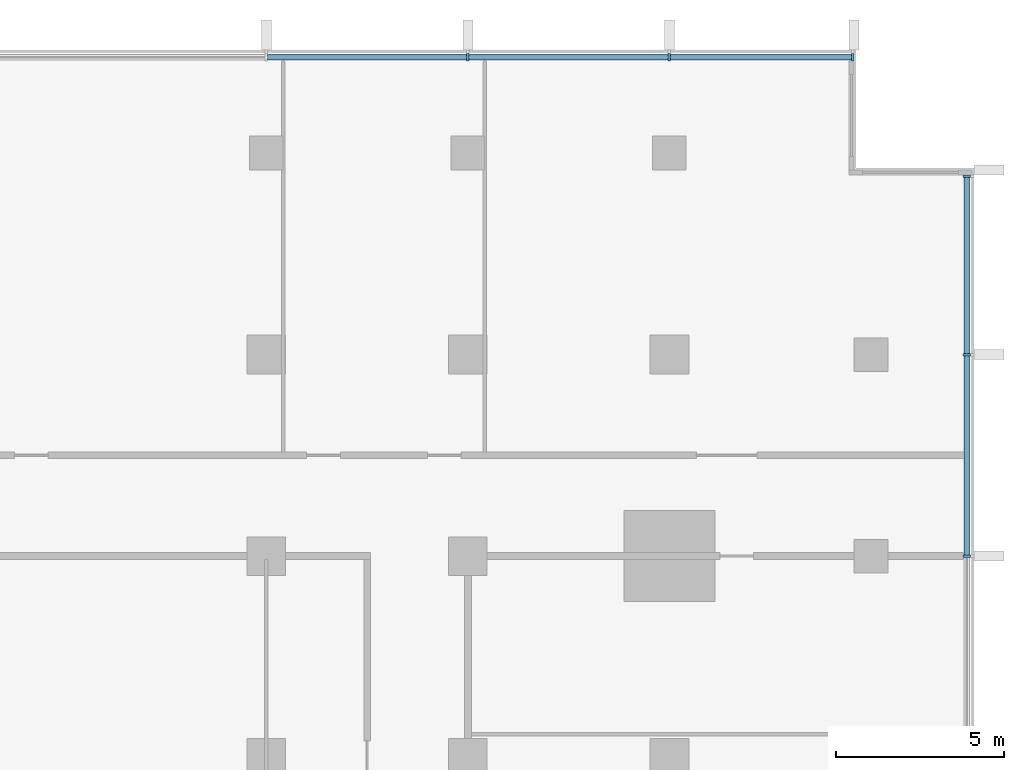
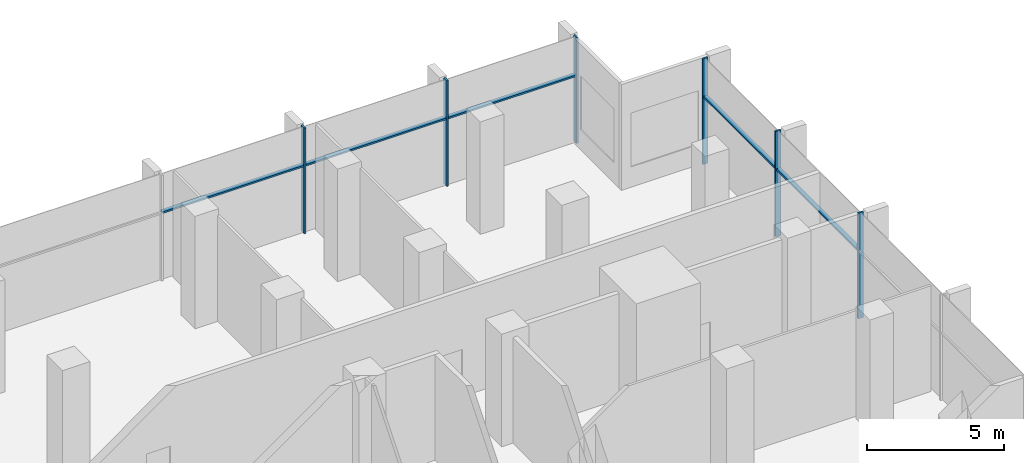
# One storey, part 5 of 14: 11 members, 2 elements without a shape of their own.
"""IFC4 building model written with IfcOpenShell, lengths in metres."""

from ifc_helpers import new_model, si_unit, direction, frame, origin, origin_2d, place, context, subcontext, project, spatial, rectangle, extrude, material, material_profile, profile_set, type_object, element, aggregate, save


model = new_model("IFC4")

# Units and contexts
model_context = context("Model", 3, precision=1e-05, world=origin(), true_north=direction((0.0, 1.0)))
body_context = subcontext(model_context, "Body", "Model", "MODEL_VIEW")
ifc_project = project(units=[si_unit("LENGTHUNIT", "METRE"), si_unit("AREAUNIT", "SQUARE_METRE"), si_unit("VOLUMEUNIT", "CUBIC_METRE"), si_unit("PLANEANGLEUNIT", "RADIAN"), si_unit("MASSUNIT", "GRAM", prefix="KILO")], contexts=[model_context])

# Site, building, storey
site_placement = place(None, origin())
site = spatial("IfcSite", under=ifc_project, at=site_placement, CompositionType="ELEMENT")
building_placement = place(site_placement, origin())
building = spatial("IfcBuilding", under=site, at=building_placement, Name="Finial Court Residences", CompositionType="ELEMENT")
storey_placement = place(building_placement, frame((0.0, 0.0, 133.89990234375)))
storey = spatial("IfcBuildingStorey", under=building, at=storey_placement, Name="L33", CompositionType="ELEMENT", Elevation=133.89990234375)

# Curtain wall, members
ifc_material = material(Name="Bronze anodised aluminium", Category="aluminium")
curtain_wall_type = type_object("IfcCurtainWallType", Name="Sky amenity glazing", PredefinedType="NOTDEFINED", material=ifc_material)
curtain_wall_1_placement = place(storey_placement, origin())
curtain_wall_1 = element("IfcCurtainWall", 1, at=curtain_wall_1_placement, inside=storey, type_object=curtain_wall_type, Name="E-L33-CW-N1", PredefinedType="NOTDEFINED")
ifc_material_profile_1 = material_profile(ifc_material, rectangle(XDim=0.22509765625, YDim=0.074951171875, at=origin_2d()), Name="CW3 mullion 75 x 225")
ifc_profile_set_1 = profile_set([ifc_material_profile_1], Name="Bronze anodised aluminium")
member_type_1 = type_object("IfcMemberType", Name="CW3 mullion 75 x 225", PredefinedType="MULLION", material=ifc_profile_set_1)
member_1_placement = place(storey_placement, frame((10.5, 22.35009765625, 0.0), z_axis=(0.0, 0.0, 1.0), x_axis=(0.0, 1.0, 0.0)))
member_1 = element("IfcMember", 2, at=member_1_placement, type_object=member_type_1, Name="CW3 mullion 6", PredefinedType="MULLION", context=body_context, shape_type="SweptSolid", body=[
    extrude(rectangle(XDim=0.22509765625, YDim=0.074951171875, at=origin_2d()), origin(), (0.0, 0.0, 1.0), 4.7001953125),
])
member_2_placement = place(storey_placement, frame((16.5, 22.35009765625, 0.0), z_axis=(0.0, 0.0, 1.0), x_axis=(0.0, 1.0, 0.0)))
member_2 = element("IfcMember", 3, at=member_2_placement, type_object=member_type_1, Name="CW3 mullion 7", PredefinedType="MULLION", context=body_context, shape_type="SweptSolid", body=[
    extrude(rectangle(XDim=0.22509765625, YDim=0.074951171875, at=origin_2d()), origin(), (0.0, 0.0, 1.0), 4.7001953125),
])
member_3_placement = place(storey_placement, frame((21.96240234375, 22.35009765625, 0.0), z_axis=(0.0, 0.0, 1.0), x_axis=(0.0, 1.0, 0.0)))
member_3 = element("IfcMember", 4, at=member_3_placement, type_object=member_type_1, Name="CW3 mullion 8", PredefinedType="MULLION", context=body_context, shape_type="SweptSolid", body=[
    extrude(rectangle(XDim=0.22509765625, YDim=0.074951171875, at=origin_2d()), origin(), (0.0, 0.0, 1.0), 4.7001953125),
])

curtain_wall_2_placement = place(storey_placement, origin())
curtain_wall_2 = element("IfcCurtainWall", 5, at=curtain_wall_2_placement, inside=storey, type_object=curtain_wall_type, Name="E-L33-CW-E2", PredefinedType="NOTDEFINED")
member_4_placement = place(storey_placement, frame((25.35009765625, 7.5, 0.0), z_axis=(0.0, 0.0, 1.0), x_axis=(-1.0, 0.0, 0.0)))
member_4 = element("IfcMember", 6, at=member_4_placement, type_object=member_type_1, Name="CW3 mullion 5", PredefinedType="MULLION", context=body_context, shape_type="SweptSolid", body=[
    extrude(rectangle(XDim=0.22509765625, YDim=0.074951171875, at=origin_2d()), origin(), (0.0, 0.0, 1.0), 4.7001953125),
])
member_5_placement = place(storey_placement, frame((25.35009765625, 13.5, 0.0), z_axis=(0.0, 0.0, 1.0), x_axis=(-1.0, 0.0, 0.0)))
member_5 = element("IfcMember", 7, at=member_5_placement, type_object=member_type_1, Name="CW3 mullion 6", PredefinedType="MULLION", context=body_context, shape_type="SweptSolid", body=[
    extrude(rectangle(XDim=0.22509765625, YDim=0.074951171875, at=origin_2d()), origin(), (0.0, 0.0, 1.0), 4.7001953125),
])
member_6_placement = place(storey_placement, frame((25.35009765625, 18.8125, 0.0), z_axis=(0.0, 0.0, 1.0), x_axis=(-1.0, 0.0, 0.0)))
member_6 = element("IfcMember", 8, at=member_6_placement, type_object=member_type_1, Name="CW3 mullion 7", PredefinedType="MULLION", context=body_context, shape_type="SweptSolid", body=[
    extrude(rectangle(XDim=0.22509765625, YDim=0.074951171875, at=origin_2d()), origin(), (0.0, 0.0, 1.0), 4.7001953125),
])

# Member
ifc_material_profile_2 = material_profile(ifc_material, rectangle(XDim=0.175048828125, YDim=0.074951171875, at=origin_2d()), Name="CW3 transom 75 x 175")
ifc_profile_set_2 = profile_set([ifc_material_profile_2], Name="Bronze anodised aluminium")
member_type_2 = type_object("IfcMemberType", Name="CW3 transom 75 x 175", PredefinedType="USERDEFINED", material=ifc_profile_set_2)
member_7_placement = place(storey_placement, frame((4.53759765625, 22.35009765625, 3.0), z_axis=(1.0, 0.0, 0.0), x_axis=(0.0, 1.0, 0.0)))
member_7 = element("IfcMember", 9, at=member_7_placement, type_object=member_type_2, Name="CW3 transom 5.1", ObjectType="TRANSOM", PredefinedType="USERDEFINED", context=body_context, shape_type="SweptSolid", body=[
    extrude(rectangle(XDim=0.175048828125, YDim=0.074951171875, at=origin_2d()), origin(), (0.0, 0.0, 1.0), 5.9248046875),
])

member_8_placement = place(storey_placement, frame((10.53759765625, 22.35009765625, 3.0), z_axis=(1.0, 0.0, 0.0), x_axis=(0.0, 1.0, 0.0)))
member_8 = element("IfcMember", 10, at=member_8_placement, type_object=member_type_2, Name="CW3 transom 6.1", ObjectType="TRANSOM", PredefinedType="USERDEFINED", context=body_context, shape_type="SweptSolid", body=[
    extrude(rectangle(XDim=0.175048828125, YDim=0.074951171875, at=origin_2d()), origin(), (0.0, 0.0, 1.0), 5.9248046875),
])

member_9_placement = place(storey_placement, frame((16.53759765625, 22.35009765625, 3.0), z_axis=(1.0, 0.0, 0.0), x_axis=(0.0, 1.0, 0.0)))
member_9 = element("IfcMember", 11, at=member_9_placement, type_object=member_type_2, Name="CW3 transom 7.1", ObjectType="TRANSOM", PredefinedType="USERDEFINED", context=body_context, shape_type="SweptSolid", body=[
    extrude(rectangle(XDim=0.175048828125, YDim=0.074951171875, at=origin_2d()), origin(), (0.0, 0.0, 1.0), 5.387451171875),
])

aggregate(curtain_wall_1, [member_1, member_2, member_3, member_7, member_8, member_9])

member_10_placement = place(storey_placement, frame((25.35009765625, 7.53759765625, 3.0), z_axis=(0.0, 1.0, 0.0), x_axis=(-1.0, 0.0, 0.0)))
member_10 = element("IfcMember", 12, at=member_10_placement, type_object=member_type_2, Name="CW3 transom 5.1", ObjectType="TRANSOM", PredefinedType="USERDEFINED", context=body_context, shape_type="SweptSolid", body=[
    extrude(rectangle(XDim=0.175048828125, YDim=0.074951171875, at=origin_2d()), origin(), (0.0, 0.0, 1.0), 5.9248046875),
])

member_11_placement = place(storey_placement, frame((25.35009765625, 13.53759765625, 3.0), z_axis=(0.0, 1.0, 0.0), x_axis=(-1.0, 0.0, 0.0)))
member_11 = element("IfcMember", 13, at=member_11_placement, type_object=member_type_2, Name="CW3 transom 6.1", ObjectType="TRANSOM", PredefinedType="USERDEFINED", context=body_context, shape_type="SweptSolid", body=[
    extrude(rectangle(XDim=0.175048828125, YDim=0.074951171875, at=origin_2d()), origin(), (0.0, 0.0, 1.0), 5.2373046875),
])

aggregate(curtain_wall_2, [member_4, member_5, member_6, member_10, member_11])

save(model, "model.ifc")
